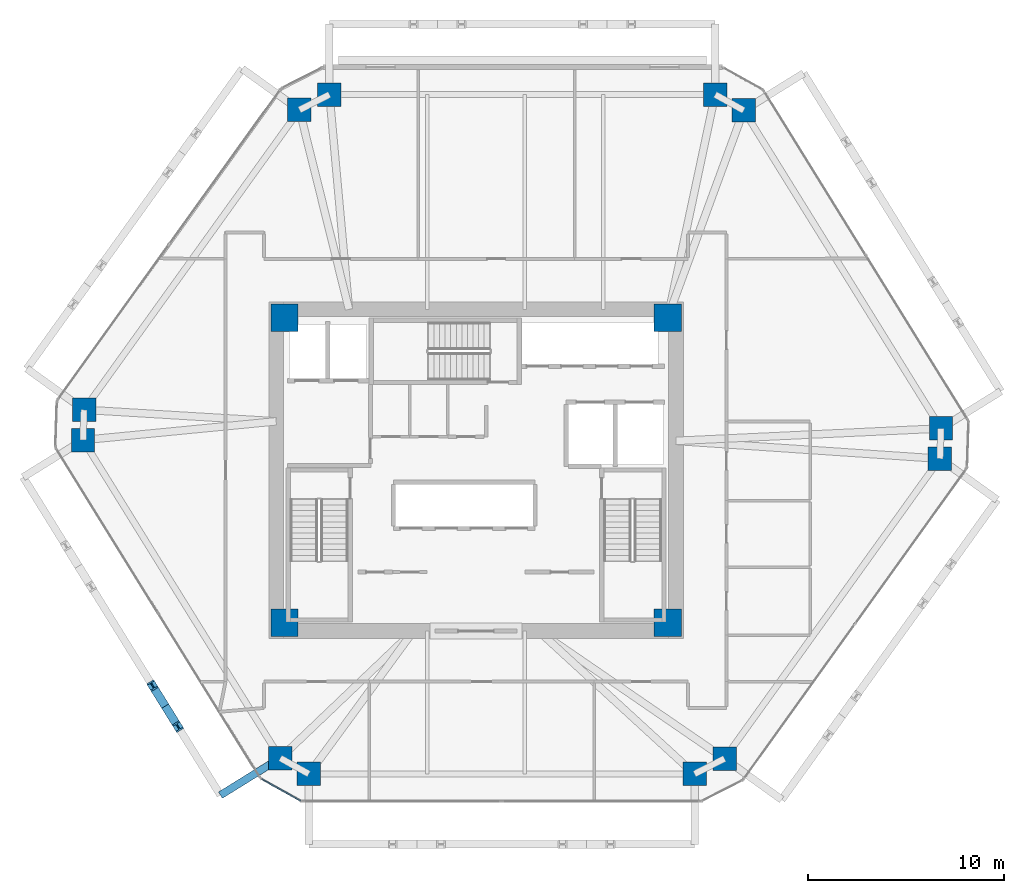
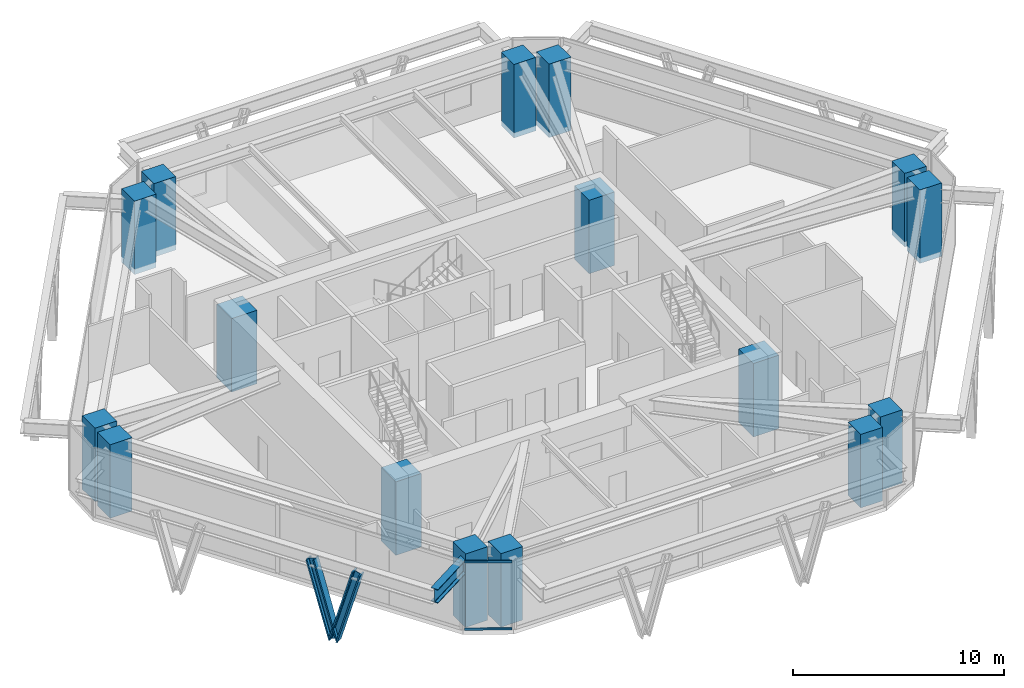
# One storey, part 1 of 14: 16 columns, 4 members, 1 beam, 1 element without a shape of its own.
"""IFC4 building model written with IfcOpenShell, lengths in metres."""

from ifc_helpers import new_model, si_unit, direction, frame, origin, origin_2d, place, context, subcontext, project, spatial, rectangle, i_section, extrude, source, transform, mapped, material, layer, layer_set, material_profile, profile_set, type_object, type_shapes, element, aggregate, save


model = new_model("IFC4")

# Units and contexts
model_context = context("Model", 3, precision=1e-05, world=origin(), true_north=direction((0.0, 1.0)))
body_context = subcontext(model_context, "Body", "Model", "MODEL_VIEW")
ifc_project = project(units=[si_unit("LENGTHUNIT", "METRE"), si_unit("AREAUNIT", "SQUARE_METRE"), si_unit("VOLUMEUNIT", "CUBIC_METRE"), si_unit("PLANEANGLEUNIT", "RADIAN"), si_unit("MASSUNIT", "GRAM", prefix="KILO")], contexts=[model_context])

# Site, building, storey
site_placement = place(None, origin())
site = spatial("IfcSite", under=ifc_project, at=site_placement, CompositionType="ELEMENT")
building_placement = place(site_placement, origin())
building = spatial("IfcBuilding", under=site, at=building_placement, Name="Durnholm Broadcast Tower", CompositionType="ELEMENT")
storey_placement = place(building_placement, frame((0.0, 0.0, 93.300048828125)))
storey = spatial("IfcBuildingStorey", under=building, at=storey_placement, Name="L24", CompositionType="ELEMENT", Elevation=93.300048828125)

# Columns
ifc_material_1 = material(Name="Concrete C70/85", Category="concrete")
ifc_material_profile_1 = material_profile(ifc_material_1, rectangle(XDim=1.39990234375, YDim=1.39990234375, at=origin_2d()), Name="RC1400X1400")
ifc_profile_set_1 = profile_set([ifc_material_profile_1], Name="Concrete C70/85")
column_type_1 = type_object("IfcColumnType", Name="COL-CC-1400", PredefinedType="COLUMN", material=ifc_profile_set_1)
shared_shape_1 = source(origin(), body_context, "Body", "SweptSolid", [
    extrude(rectangle(XDim=1.39990234375, YDim=1.39990234375, at=origin_2d()), origin(), (0.0, 0.0, 1.0), 4.260009765625),
])
type_shapes(column_type_1, [shared_shape_1])
for number, where, z_axis, x_axis, name in (
    (1, (-9.800048828125, -7.800048828125, -0.300048828125), (0.0, 0.0, 1.0), (1.0, 0.0, 0.0), "L24 core corner column 1"),
    (2, (9.800048828125, -7.800048828125, -0.300048828125), (0.0, 0.0, 1.0), (1.0, 0.0, 0.0), "L24 core corner column 2"),
    (3, (9.800048828125, 7.800048828125, -0.300048828125), (0.0, 0.0, 1.0), (1.0, 0.0, 0.0), "L24 core corner column 3"),
    (4, (-9.800048828125, 7.800048828125, -0.300048828125), (0.0, 0.0, 1.0), (1.0, 0.0, 0.0), "L24 core corner column 4"),
):
    element("IfcColumn", number, at=place(storey_placement, frame(where, z_axis=z_axis, x_axis=x_axis)), inside=storey, type_object=column_type_1, Name=name, PredefinedType="COLUMN", context=body_context, shape_type="MappedRepresentation", body=[
        mapped(shared_shape_1, transform((0.0, 0.0, 0.0), x_axis=(1.0, 0.0, 0.0), y_axis=(0.0, 1.0, 0.0), z_axis=(0.0, 0.0, 1.0), scale=1.0)),
    ])
ifc_material_profile_2 = material_profile(ifc_material_1, rectangle(XDim=1.199951171875, YDim=1.199951171875, at=origin_2d()), Name="RC1200X1200")
ifc_profile_set_2 = profile_set([ifc_material_profile_2], Name="Concrete C70/85")
column_type_2 = type_object("IfcColumnType", Name="COL-CC-1200", PredefinedType="COLUMN", material=ifc_profile_set_2)
shared_shape_2 = source(origin(), body_context, "Body", "SweptSolid", [
    extrude(rectangle(XDim=1.199951171875, YDim=1.199951171875, at=origin_2d()), origin(), (0.0, 0.0, 1.0), 4.260009765625),
])
type_shapes(column_type_2, [shared_shape_2])
for number, where, z_axis, x_axis, name in (
    (5, (-10.01416015625, -14.723388671875, -0.300048828125), (0.0, 0.0, 1.0), (1.0, 0.0, 0.0), "L24 perimeter hexagonal tube column 01"),
    (6, (-20.102783203125, 1.54150390625, -0.300048828125), (0.0, 0.0, 1.0), (1.0, 0.0, 0.0), "L24 perimeter hexagonal tube column 02"),
    (7, (-20.050048828125, 3.091064453125, -0.300048828125), (0.0, 0.0, 1.0), (1.0, 0.0, 0.0), "L24 perimeter hexagonal tube column 03"),
    (8, (-9.031982421875, 18.42822265625, -0.300048828125), (0.0, 0.0, 1.0), (1.0, 0.0, 0.0), "L24 perimeter hexagonal tube column 04"),
    (9, (-7.498046875, 19.215087890625, -0.300048828125), (0.0, 0.0, 1.0), (1.0, 0.0, 0.0), "L24 perimeter hexagonal tube column 05"),
    (10, (12.22998046875, 19.215087890625, -0.300048828125), (0.0, 0.0, 1.0), (1.0, 0.0, 0.0), "L24 perimeter hexagonal tube column 06"),
    (11, (13.692138671875, 18.4013671875, -0.300048828125), (0.0, 0.0, 1.0), (1.0, 0.0, 0.0), "L24 perimeter hexagonal tube column 07"),
    (12, (23.78076171875, 2.13671875, -0.300048828125), (0.0, 0.0, 1.0), (1.0, 0.0, 0.0), "L24 perimeter hexagonal tube column 08"),
    (13, (23.72802734375, 0.5869140625, -0.300048828125), (0.0, 0.0, 1.0), (1.0, 0.0, 0.0), "L24 perimeter hexagonal tube column 09"),
    (14, (12.7099609375, -14.750244140625, -0.300048828125), (0.0, 0.0, 1.0), (1.0, 0.0, 0.0), "L24 perimeter hexagonal tube column 10"),
    (15, (11.176025390625, -15.537109375, -0.300048828125), (0.0, 0.0, 1.0), (1.0, 0.0, 0.0), "L24 perimeter hexagonal tube column 11"),
    (16, (-8.552001953125, -15.537109375, -0.300048828125), (0.0, 0.0, 1.0), (1.0, 0.0, 0.0), "L24 perimeter hexagonal tube column 12"),
):
    element("IfcColumn", number, at=place(storey_placement, frame(where, z_axis=z_axis, x_axis=x_axis)), inside=storey, type_object=column_type_2, Name=name, PredefinedType="COLUMN", context=body_context, shape_type="MappedRepresentation", body=[
        mapped(shared_shape_2, transform((0.0, 0.0, 0.0), x_axis=(1.0, 0.0, 0.0), y_axis=(0.0, 1.0, 0.0), z_axis=(0.0, 0.0, 1.0), scale=1.0)),
    ])

# Beam
ifc_material_2 = material(Name="Steel ASTM A992 Grade 50", Category="steel")
ifc_material_profile_3 = material_profile(ifc_material_2, i_section(OverallWidth=0.385009765625, OverallDepth=0.802978515625, WebThickness=0.023681640625, FlangeThickness=0.0419921875, FilletRadius=0.032958984375, at=origin_2d()), Name="W30X261")
ifc_profile_set_3 = profile_set([ifc_material_profile_3], Name="Steel ASTM A992 Grade 50")
beam_type = type_object("IfcBeamType", Name="BM-EXO-TIE", PredefinedType="USERDEFINED", material=ifc_profile_set_3)
shared_shape_3 = source(origin(), body_context, "Body", "SweptSolid", [
    extrude(i_section(OverallWidth=0.385009765625, OverallDepth=0.802978515625, WebThickness=0.023681640625, FlangeThickness=0.0419921875, FilletRadius=0.032958984375, at=origin_2d()), origin(), (0.0, 0.0, 1.0), 3.455810546875),
])
type_shapes(beam_type, [shared_shape_3])
beam_placement = place(storey_placement, frame((-10.13671875, -14.79931640625, 3.20849609375), z_axis=(-0.849807128357, -0.527093772107, 0.0), x_axis=(0.527093772107, -0.849807128357, 0.0)))
element("IfcBeam", 17, at=beam_placement, inside=storey, type_object=beam_type, Name="L24 exoskeleton stand-off tie bracket F6.2", ObjectType="GIRDER", PredefinedType="USERDEFINED", context=body_context, shape_type="MappedRepresentation", body=[
    mapped(shared_shape_3, transform((0.0, 0.0, 0.0), x_axis=(1.0, 0.0, 0.0), y_axis=(0.0, 1.0, 0.0), z_axis=(0.0, 0.0, 1.0), scale=1.0)),
])

# Members
ifc_material_3 = material(Name="Steel ASTM A913 Grade 65", Category="steel")
ifc_material_profile_4 = material_profile(ifc_material_3, i_section(OverallWidth=0.424072265625, OverallDepth=0.47412109375, WebThickness=0.047607421875, FlangeThickness=0.0771484375, FilletRadius=0.030517578125, at=origin_2d()), Name="W14X426")
ifc_profile_set_4 = profile_set([ifc_material_profile_4], Name="Steel ASTM A913 Grade 65")
member_type_1 = type_object("IfcMemberType", Name="STL-DG-W14X426", PredefinedType="BRACE", material=ifc_profile_set_4)
shared_shape_4 = source(origin(), body_context, "Body", "SweptSolid", [
    extrude(i_section(OverallWidth=0.424072265625, OverallDepth=0.47412109375, WebThickness=0.047607421875, FlangeThickness=0.0771484375, FilletRadius=0.030517578125, at=origin_2d()), origin(), (0.0, 0.0, 1.0), 4.43505859375),
])
type_shapes(member_type_1, [shared_shape_4])
for number, where, z_axis, x_axis, name in (
    (18, (-15.898193359375, -12.066650390625, -1.051513671875), (-0.146647721823, 0.236375869935, 0.96053156835), (-0.849750220063, -0.527185511469, 0.0), "L24 stand-off diagrid brace F6.D2.1"),
    (19, (-15.898193359375, -12.066650390625, -1.051513671875), (0.146645813457, -0.23642784114, 0.960519068696), (0.849805205368, 0.527096872433, 0.0), "L24 stand-off diagrid brace F6.D2.2"),
):
    element("IfcMember", number, at=place(storey_placement, frame(where, z_axis=z_axis, x_axis=x_axis)), inside=storey, type_object=member_type_1, Name=name, PredefinedType="BRACE", context=body_context, shape_type="MappedRepresentation", body=[
        mapped(shared_shape_4, transform((0.0, 0.0, 0.0), x_axis=(1.0, 0.0, 0.0), y_axis=(0.0, 1.0, 0.0), z_axis=(0.0, 0.0, 1.0), scale=1.0)),
    ])

# Curtain wall, members
ifc_material_4 = material(Name="Aluminium and Solar Control IGU", Category="aluminium")
ifc_layer = layer(ifc_material_4, 0.1650390625)
ifc_layer_set = layer_set([ifc_layer], Name="Aluminium and Solar Control IGU")
curtain_wall_type = type_object("IfcCurtainWallType", Name="CW-SYS-5", PredefinedType="NOTDEFINED", material=ifc_layer_set)
curtain_wall_placement = place(storey_placement, origin())
curtain_wall = element("IfcCurtainWall", 20, at=curtain_wall_placement, inside=storey, type_object=curtain_wall_type, Name="L24 curtain wall CW-CORNER CW-L24-CRN-11", PredefinedType="NOTDEFINED")
ifc_material_5 = material(Name="Aluminium 6063-T6", Category="aluminium")
ifc_material_profile_5 = material_profile(ifc_material_5, rectangle(XDim=0.06494140625, YDim=0.1298828125, at=origin_2d()), Name="CWT65X130")
ifc_profile_set_5 = profile_set([ifc_material_profile_5], Name="Aluminium 6063-T6")
member_type_2 = type_object("IfcMemberType", Name="CW-SYS-5-TRN", PredefinedType="USERDEFINED", material=ifc_profile_set_5)
shared_shape_5 = source(origin(), body_context, "Body", "SweptSolid", [
    extrude(rectangle(XDim=0.06494140625, YDim=0.1298828125, at=origin_2d()), origin(), (0.0, 0.0, 1.0), 2.27001953125),
])
type_shapes(member_type_2, [shared_shape_5])
member_1_placement = place(storey_placement, frame((-8.971923828125, -16.9052734375, 0.032470703125), z_axis=(-0.873832405737, 0.486227237703, 0.0), x_axis=(-0.486227237703, -0.873832405737, 0.0)))
member_1 = element("IfcMember", 21, at=member_1_placement, type_object=member_type_2, Name="CW-CORNER transom 1.1", ObjectType="TRANSOM", PredefinedType="USERDEFINED", context=body_context, shape_type="MappedRepresentation", body=[
    mapped(shared_shape_5, transform((0.0, 0.0, 0.0), x_axis=(1.0, 0.0, 0.0), y_axis=(0.0, 1.0, 0.0), z_axis=(0.0, 0.0, 1.0), scale=1.0)),
])
member_2_placement = place(storey_placement, frame((-8.971923828125, -16.9052734375, 3.927490234375), z_axis=(-0.873832405737, 0.486227237703, 0.0), x_axis=(-0.486227237703, -0.873832405737, 0.0)))
member_2 = element("IfcMember", 22, at=member_2_placement, type_object=member_type_2, Name="CW-CORNER transom 1.2", ObjectType="TRANSOM", PredefinedType="USERDEFINED", context=body_context, shape_type="MappedRepresentation", body=[
    mapped(shared_shape_5, transform((0.0, 0.0, 0.0), x_axis=(1.0, 0.0, 0.0), y_axis=(0.0, 1.0, 0.0), z_axis=(0.0, 0.0, 1.0), scale=1.0)),
])
aggregate(curtain_wall, [member_1, member_2])

save(model, "model.ifc")
